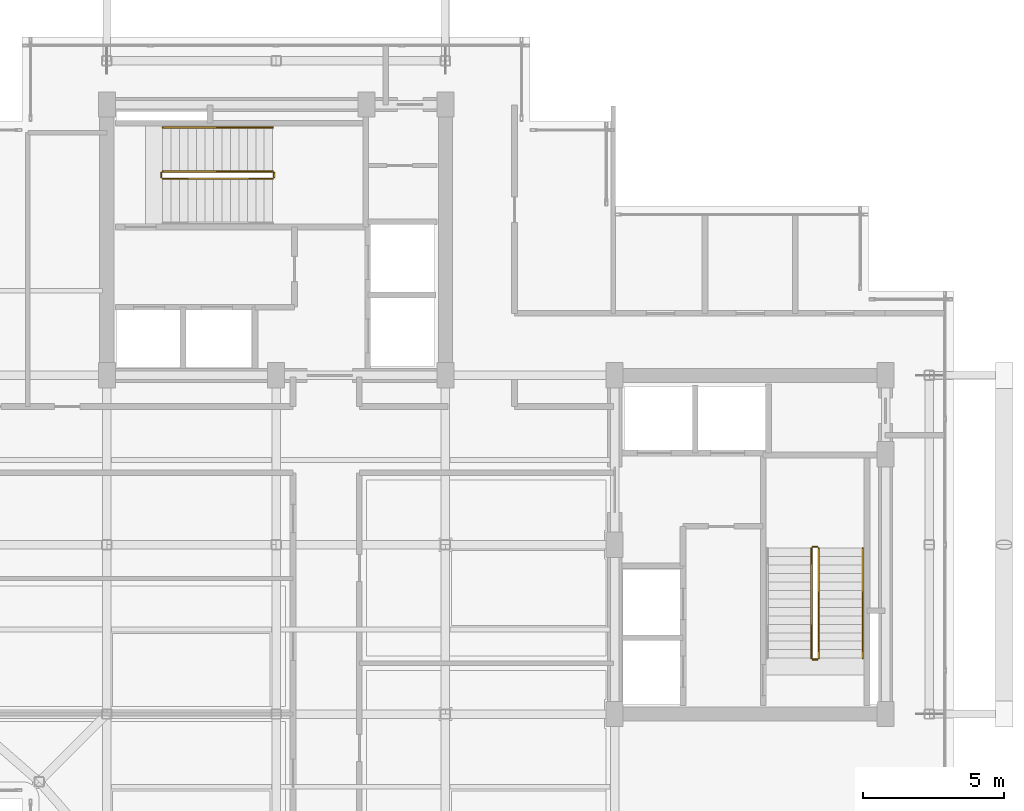
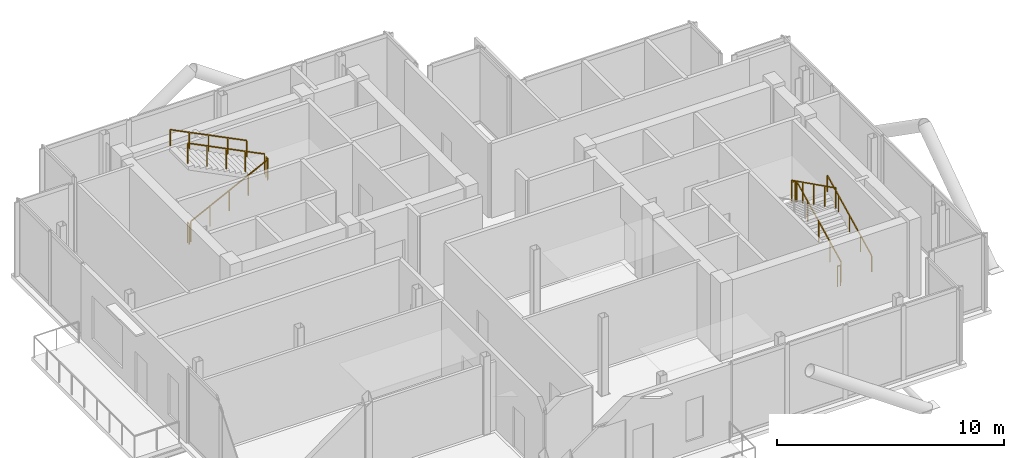
# One storey, part 16 of 16: 10 railings.
"""IFC4 building model written with IfcOpenShell, lengths in metres."""

from ifc_helpers import new_model, si_unit, direction, frame, origin, origin_2d, place, context, subcontext, project, spatial, rectangle, extrude, material, type_object, element, save


model = new_model("IFC4")

# Units and contexts
model_context = context("Model", 3, precision=1e-05, world=origin(), true_north=direction((0.0, 1.0)))
body_context = subcontext(model_context, "Body", "Model", "MODEL_VIEW")
ifc_project = project(units=[si_unit("LENGTHUNIT", "METRE"), si_unit("AREAUNIT", "SQUARE_METRE"), si_unit("VOLUMEUNIT", "CUBIC_METRE"), si_unit("PLANEANGLEUNIT", "RADIAN"), si_unit("MASSUNIT", "GRAM", prefix="KILO"), si_unit("THERMODYNAMICTEMPERATUREUNIT", "KELVIN"), si_unit("POWERUNIT", "WATT")], contexts=[model_context])

# Site, building, storey
site_placement = place(None, origin())
site = spatial("IfcSite", under=ifc_project, at=site_placement, CompositionType="ELEMENT")
building_placement = place(site_placement, origin())
building = spatial("IfcBuilding", under=site, at=building_placement, Name="Svarakhadi Broadcast Tower", CompositionType="ELEMENT")
storey_placement = place(building_placement, frame((0.0, 0.0, 292.199951171875)))
storey = spatial("IfcBuildingStorey", under=building, at=storey_placement, Name="L74", CompositionType="ELEMENT", Elevation=292.199951171875)

# Railings
ifc_material = material(Name="Anodised Bronze Aluminium AA 6063-T6", Category="aluminium")
railing_type_1 = type_object("IfcRailingType", Name="Guard_Stair_GR01", PredefinedType="GUARDRAIL", material=ifc_material)
railing_1_placement = place(storey_placement, frame((7.97998046875, 24.969970703125, 0.150146484375)))
element("IfcRailing", 1, at=railing_1_placement, inside=storey, type_object=railing_type_1, Name="L74 ST-01 stair guard 1", PredefinedType="GUARDRAIL", context=body_context, shape_type="SweptSolid", body=[
    extrude(rectangle(XDim=0.048095703125, YDim=0.048095703125, at=origin_2d()), frame((0.0, 0.0, 1.09619140625), z_axis=(0.894427191, 0.0, 0.4472135955), x_axis=(0.0, 1.0, 0.0)), (0.0, 0.0, 1.0), 4.360107421875),
    extrude(rectangle(XDim=0.0419921875, YDim=0.0419921875, at=origin_2d()), origin(), (0.0, 0.0, 1.0), 1.072021484375),
    extrude(rectangle(XDim=0.0419921875, YDim=0.0419921875, at=origin_2d()), frame((0.97509765625, 0.0, 0.487548828125)), (0.0, 0.0, 1.0), 1.072021484375),
    extrude(rectangle(XDim=0.0419921875, YDim=0.0419921875, at=origin_2d()), frame((1.949951171875, 0.0, 0.97509765625)), (0.0, 0.0, 1.0), 1.072021484375),
    extrude(rectangle(XDim=0.0419921875, YDim=0.0419921875, at=origin_2d()), frame((2.9248046875, 0.0, 1.46240234375)), (0.0, 0.0, 1.0), 1.072021484375),
    extrude(rectangle(XDim=0.0419921875, YDim=0.0419921875, at=origin_2d()), frame((3.89990234375, 0.0, 1.949951171875)), (0.0, 0.0, 1.0), 1.072021484375),
])
railing_2_placement = place(storey_placement, frame((11.929931640625, 25.02001953125, 2.10009765625)))
element("IfcRailing", 2, at=railing_2_placement, inside=storey, type_object=railing_type_1, Name="L74 ST-01 stair guard 2", PredefinedType="GUARDRAIL", context=body_context, shape_type="SweptSolid", body=[
    extrude(rectangle(XDim=0.048095703125, YDim=0.048095703125, at=origin_2d()), frame((0.0, 0.0, 1.09619140625), z_axis=(0.0, 1.0, 0.0), x_axis=(-1.0, 0.0, 0.0)), (0.0, 0.0, 1.0), 0.159912109375),
    extrude(rectangle(XDim=0.0419921875, YDim=0.0419921875, at=origin_2d()), origin(), (0.0, 0.0, 1.0), 1.072021484375),
    extrude(rectangle(XDim=0.0419921875, YDim=0.0419921875, at=origin_2d()), frame((0.0, 0.159912109375, 0.0)), (0.0, 0.0, 1.0), 1.072021484375),
])
railing_3_placement = place(storey_placement, frame((11.8798828125, 25.22998046875, 2.25)))
element("IfcRailing", 3, at=railing_3_placement, inside=storey, type_object=railing_type_1, Name="L74 ST-01 stair guard 3", PredefinedType="GUARDRAIL", context=body_context, shape_type="SweptSolid", body=[
    extrude(rectangle(XDim=0.048095703125, YDim=0.048095703125, at=origin_2d()), frame((0.0, 0.0, 1.09619140625), z_axis=(-0.894427191, 0.0, 0.4472135955), x_axis=(0.0, -1.0, 0.0)), (0.0, 0.0, 1.0), 4.360107421875),
    extrude(rectangle(XDim=0.0419921875, YDim=0.0419921875, at=origin_2d()), origin(), (0.0, 0.0, 1.0), 1.072021484375),
    extrude(rectangle(XDim=0.0419921875, YDim=0.0419921875, at=origin_2d()), frame((-0.97509765625, 0.0, 0.487548828125)), (0.0, 0.0, 1.0), 1.072021484375),
    extrude(rectangle(XDim=0.0419921875, YDim=0.0419921875, at=origin_2d()), frame((-1.949951171875, 0.0, 0.97509765625)), (0.0, 0.0, 1.0), 1.072021484375),
    extrude(rectangle(XDim=0.0419921875, YDim=0.0419921875, at=origin_2d()), frame((-2.9248046875, 0.0, 1.46240234375)), (0.0, 0.0, 1.0), 1.072021484375),
    extrude(rectangle(XDim=0.0419921875, YDim=0.0419921875, at=origin_2d()), frame((-3.89990234375, 0.0, 1.949951171875)), (0.0, 0.0, 1.0), 1.072021484375),
])
railing_4_placement = place(storey_placement, frame((7.929931640625, 25.02001953125, 0.0)))
element("IfcRailing", 4, at=railing_4_placement, inside=storey, type_object=railing_type_1, Name="L74 ST-01 stair guard 4", PredefinedType="GUARDRAIL", context=body_context, shape_type="SweptSolid", body=[
    extrude(rectangle(XDim=0.048095703125, YDim=0.048095703125, at=origin_2d()), frame((0.0, 0.0, 1.09619140625), z_axis=(0.0, 1.0, 0.0), x_axis=(-1.0, 0.0, 0.0)), (0.0, 0.0, 1.0), 0.159912109375),
    extrude(rectangle(XDim=0.0419921875, YDim=0.0419921875, at=origin_2d()), origin(), (0.0, 0.0, 1.0), 1.072021484375),
    extrude(rectangle(XDim=0.0419921875, YDim=0.0419921875, at=origin_2d()), frame((0.0, 0.159912109375, 0.0)), (0.0, 0.0, 1.0), 1.072021484375),
])
railing_5_placement = place(storey_placement, frame((31.22998046875, 7.97998046875, 0.150146484375)))
element("IfcRailing", 5, at=railing_5_placement, inside=storey, type_object=railing_type_1, Name="L74 ST-02 stair guard 1", PredefinedType="GUARDRAIL", context=body_context, shape_type="SweptSolid", body=[
    extrude(rectangle(XDim=0.048095703125, YDim=0.048095703125, at=origin_2d()), frame((0.0, 0.0, 1.09619140625), z_axis=(0.0, 0.894427191, 0.4472135955), x_axis=(-1.0, 0.0, 0.0)), (0.0, 0.0, 1.0), 4.360107421875),
    extrude(rectangle(XDim=0.0419921875, YDim=0.0419921875, at=origin_2d()), origin(), (0.0, 0.0, 1.0), 1.072021484375),
    extrude(rectangle(XDim=0.0419921875, YDim=0.0419921875, at=origin_2d()), frame((0.0, 0.97509765625, 0.487548828125)), (0.0, 0.0, 1.0), 1.072021484375),
    extrude(rectangle(XDim=0.0419921875, YDim=0.0419921875, at=origin_2d()), frame((0.0, 1.949951171875, 0.97509765625)), (0.0, 0.0, 1.0), 1.072021484375),
    extrude(rectangle(XDim=0.0419921875, YDim=0.0419921875, at=origin_2d()), frame((0.0, 2.9248046875, 1.46240234375)), (0.0, 0.0, 1.0), 1.072021484375),
    extrude(rectangle(XDim=0.0419921875, YDim=0.0419921875, at=origin_2d()), frame((0.0, 3.89990234375, 1.949951171875)), (0.0, 0.0, 1.0), 1.072021484375),
])
railing_6_placement = place(storey_placement, frame((31.179931640625, 11.929931640625, 2.10009765625)))
element("IfcRailing", 6, at=railing_6_placement, inside=storey, type_object=railing_type_1, Name="L74 ST-02 stair guard 2", PredefinedType="GUARDRAIL", context=body_context, shape_type="SweptSolid", body=[
    extrude(rectangle(XDim=0.048095703125, YDim=0.048095703125, at=origin_2d()), frame((0.0, 0.0, 1.09619140625), z_axis=(-1.0, 0.0, 0.0), x_axis=(0.0, -1.0, 0.0)), (0.0, 0.0, 1.0), 0.159912109375),
    extrude(rectangle(XDim=0.0419921875, YDim=0.0419921875, at=origin_2d()), origin(), (0.0, 0.0, 1.0), 1.072021484375),
    extrude(rectangle(XDim=0.0419921875, YDim=0.0419921875, at=origin_2d()), frame((-0.159912109375, 0.0, 0.0)), (0.0, 0.0, 1.0), 1.072021484375),
])
railing_7_placement = place(storey_placement, frame((30.969970703125, 11.8798828125, 2.25)))
element("IfcRailing", 7, at=railing_7_placement, inside=storey, type_object=railing_type_1, Name="L74 ST-02 stair guard 3", PredefinedType="GUARDRAIL", context=body_context, shape_type="SweptSolid", body=[
    extrude(rectangle(XDim=0.048095703125, YDim=0.048095703125, at=origin_2d()), frame((0.0, 0.0, 1.09619140625), z_axis=(0.0, -0.894427191, 0.4472135955), x_axis=(1.0, 0.0, 0.0)), (0.0, 0.0, 1.0), 4.360107421875),
    extrude(rectangle(XDim=0.0419921875, YDim=0.0419921875, at=origin_2d()), origin(), (0.0, 0.0, 1.0), 1.072021484375),
    extrude(rectangle(XDim=0.0419921875, YDim=0.0419921875, at=origin_2d()), frame((0.0, -0.97509765625, 0.487548828125)), (0.0, 0.0, 1.0), 1.072021484375),
    extrude(rectangle(XDim=0.0419921875, YDim=0.0419921875, at=origin_2d()), frame((0.0, -1.949951171875, 0.97509765625)), (0.0, 0.0, 1.0), 1.072021484375),
    extrude(rectangle(XDim=0.0419921875, YDim=0.0419921875, at=origin_2d()), frame((0.0, -2.9248046875, 1.46240234375)), (0.0, 0.0, 1.0), 1.072021484375),
    extrude(rectangle(XDim=0.0419921875, YDim=0.0419921875, at=origin_2d()), frame((0.0, -3.89990234375, 1.949951171875)), (0.0, 0.0, 1.0), 1.072021484375),
])
railing_8_placement = place(storey_placement, frame((31.179931640625, 7.929931640625, 0.0)))
element("IfcRailing", 8, at=railing_8_placement, inside=storey, type_object=railing_type_1, Name="L74 ST-02 stair guard 4", PredefinedType="GUARDRAIL", context=body_context, shape_type="SweptSolid", body=[
    extrude(rectangle(XDim=0.048095703125, YDim=0.048095703125, at=origin_2d()), frame((0.0, 0.0, 1.09619140625), z_axis=(-1.0, 0.0, 0.0), x_axis=(0.0, -1.0, 0.0)), (0.0, 0.0, 1.0), 0.159912109375),
    extrude(rectangle(XDim=0.0419921875, YDim=0.0419921875, at=origin_2d()), origin(), (0.0, 0.0, 1.0), 1.072021484375),
    extrude(rectangle(XDim=0.0419921875, YDim=0.0419921875, at=origin_2d()), frame((-0.159912109375, 0.0, 0.0)), (0.0, 0.0, 1.0), 1.072021484375),
])
railing_type_2 = type_object("IfcRailingType", Name="Handrail_Stair_HR01", PredefinedType="HANDRAIL", material=ifc_material)
railing_9_placement = place(storey_placement, frame((11.8798828125, 26.7900390625, 2.25)))
element("IfcRailing", 9, at=railing_9_placement, inside=storey, type_object=railing_type_2, Name="L74 ST-01 stair handrail 2", PredefinedType="HANDRAIL", context=body_context, shape_type="SweptSolid", body=[
    extrude(rectangle(XDim=0.048095703125, YDim=0.048095703125, at=origin_2d()), frame((0.0, 0.0, 0.8759765625), z_axis=(-0.894427191, 0.0, 0.4472135955), x_axis=(0.0, -1.0, 0.0)), (0.0, 0.0, 1.0), 4.360107421875),
    extrude(rectangle(XDim=0.0419921875, YDim=0.0419921875, at=origin_2d()), origin(), (0.0, 0.0, 1.0), 0.851806640625),
    extrude(rectangle(XDim=0.0419921875, YDim=0.0419921875, at=origin_2d()), frame((-0.97509765625, 0.0, 0.487548828125)), (0.0, 0.0, 1.0), 0.851806640625),
    extrude(rectangle(XDim=0.0419921875, YDim=0.0419921875, at=origin_2d()), frame((-1.949951171875, 0.0, 0.97509765625)), (0.0, 0.0, 1.0), 0.851806640625),
    extrude(rectangle(XDim=0.0419921875, YDim=0.0419921875, at=origin_2d()), frame((-2.9248046875, 0.0, 1.46240234375)), (0.0, 0.0, 1.0), 0.851806640625),
    extrude(rectangle(XDim=0.0419921875, YDim=0.0419921875, at=origin_2d()), frame((-3.89990234375, 0.0, 1.949951171875)), (0.0, 0.0, 1.0), 0.851806640625),
])
railing_10_placement = place(storey_placement, frame((32.7900390625, 7.97998046875, 0.150146484375)))
element("IfcRailing", 10, at=railing_10_placement, inside=storey, type_object=railing_type_2, Name="L74 ST-02 stair handrail 1", PredefinedType="HANDRAIL", context=body_context, shape_type="SweptSolid", body=[
    extrude(rectangle(XDim=0.048095703125, YDim=0.048095703125, at=origin_2d()), frame((0.0, 0.0, 0.8759765625), z_axis=(0.0, 0.894427191, 0.4472135955), x_axis=(-1.0, 0.0, 0.0)), (0.0, 0.0, 1.0), 4.360107421875),
    extrude(rectangle(XDim=0.0419921875, YDim=0.0419921875, at=origin_2d()), origin(), (0.0, 0.0, 1.0), 0.851806640625),
    extrude(rectangle(XDim=0.0419921875, YDim=0.0419921875, at=origin_2d()), frame((0.0, 0.97509765625, 0.487548828125)), (0.0, 0.0, 1.0), 0.851806640625),
    extrude(rectangle(XDim=0.0419921875, YDim=0.0419921875, at=origin_2d()), frame((0.0, 1.949951171875, 0.97509765625)), (0.0, 0.0, 1.0), 0.851806640625),
    extrude(rectangle(XDim=0.0419921875, YDim=0.0419921875, at=origin_2d()), frame((0.0, 2.9248046875, 1.46240234375)), (0.0, 0.0, 1.0), 0.851806640625),
    extrude(rectangle(XDim=0.0419921875, YDim=0.0419921875, at=origin_2d()), frame((0.0, 3.89990234375, 1.949951171875)), (0.0, 0.0, 1.0), 0.851806640625),
])

save(model, "model.ifc")
